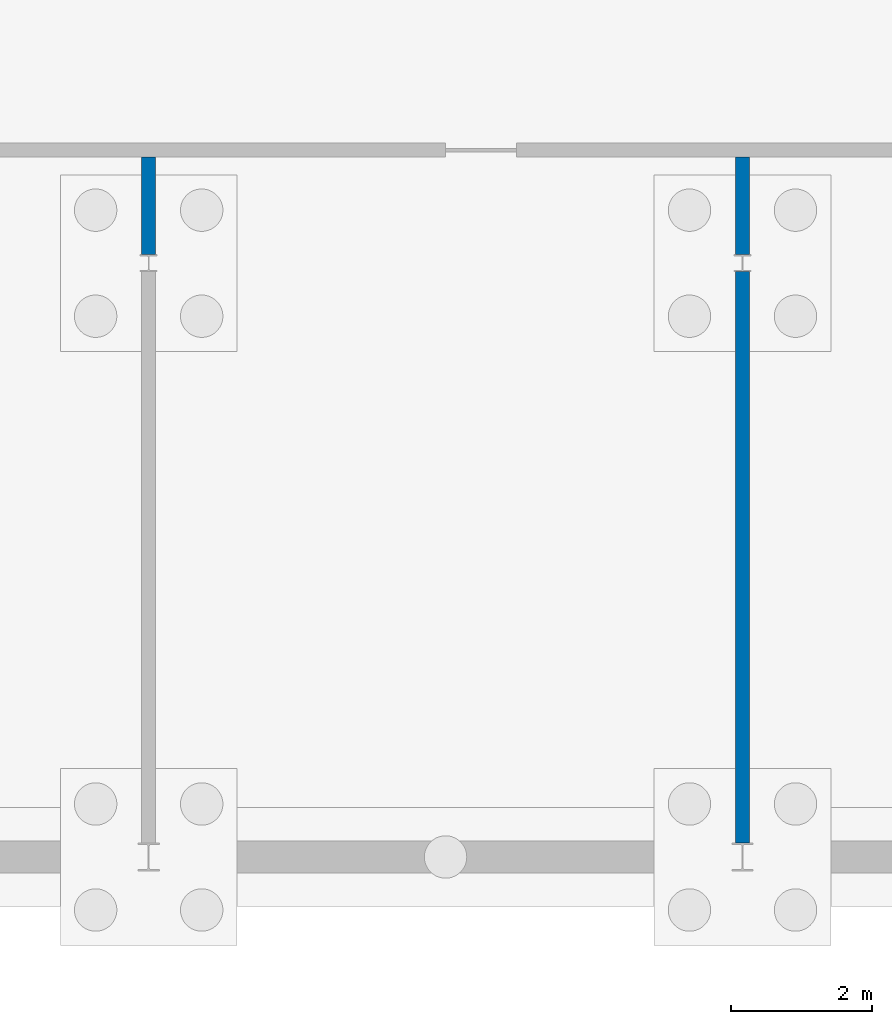
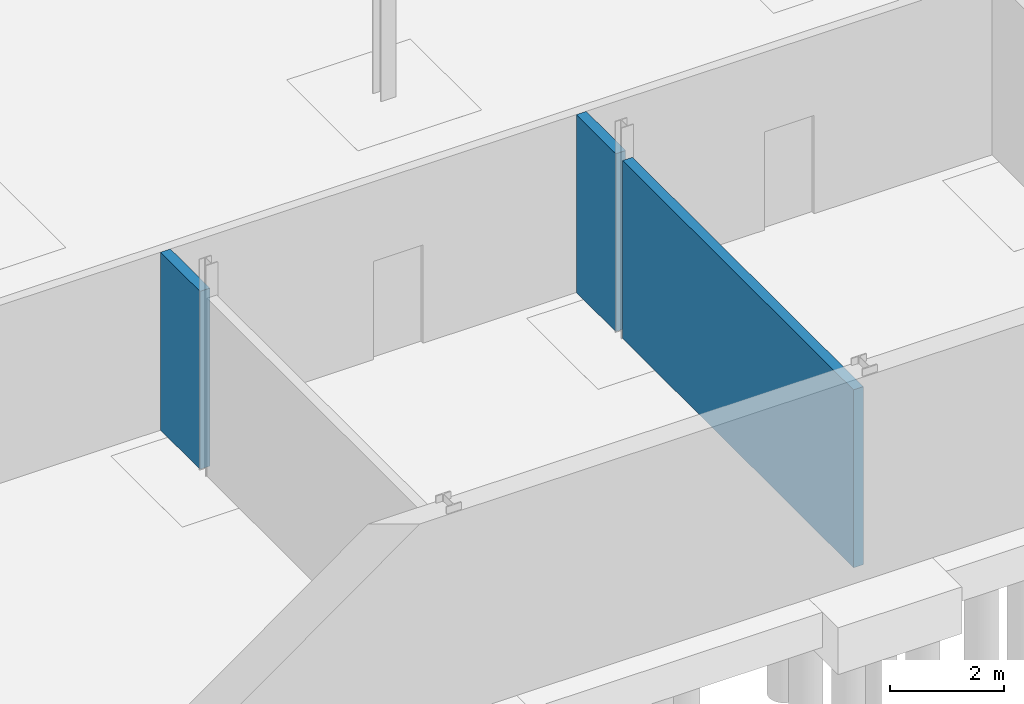
# One storey, part 22 of 35: 3 walls.
"""IFC4 building model written with IfcOpenShell, lengths in metres."""

from ifc_helpers import new_model, si_unit, direction, frame, frame_2d, origin, place, context, subcontext, project, spatial, rectangle, extrude, material, layer, layer_set, type_object, element, save


model = new_model("IFC4")

# Units and contexts
model_context = context("Model", 3, precision=1e-05, world=origin(), true_north=direction((0.0, 1.0)))
body_context = subcontext(model_context, "Body", "Model", "MODEL_VIEW")
ifc_project = project(units=[si_unit("LENGTHUNIT", "METRE"), si_unit("AREAUNIT", "SQUARE_METRE"), si_unit("VOLUMEUNIT", "CUBIC_METRE"), si_unit("PLANEANGLEUNIT", "RADIAN"), si_unit("MASSUNIT", "GRAM", prefix="KILO")], contexts=[model_context])

# Site, building, storey
site_placement = place(None, origin())
site = spatial("IfcSite", under=ifc_project, at=site_placement, CompositionType="ELEMENT")
building_placement = place(site_placement, origin())
building = spatial("IfcBuilding", under=site, at=building_placement, Name="Ardhachandra Cancer Care Centre", CompositionType="ELEMENT")
storey_placement = place(building_placement, frame((0.0, 0.0, -4.5)))
storey = spatial("IfcBuildingStorey", under=building, at=storey_placement, Name="B1", CompositionType="ELEMENT", Elevation=-4.5)

# Walls
ifc_material = material(Name="Brick masonry", Category="masonry")
ifc_layer = layer(ifc_material, 0.199951171875)
ifc_layer_set = layer_set([ifc_layer], Name="Brick masonry")
wall_type = type_object("IfcWallType", Name="PLANT ROOM WALL 200", PredefinedType="SOLIDWALL", material=ifc_layer_set)
wall_1_placement = place(storey_placement, frame((61.199951171875, 63.1201171875, 0.0), z_axis=(0.0, 0.0, 1.0), x_axis=(0.0, 1.0, 0.0)))
element("IfcWall", 1, at=wall_1_placement, inside=storey, type_object=wall_type, Name="R/wall/B1/v0061200_0063120", PredefinedType="SOLIDWALL", context=body_context, shape_type="SweptSolid", body=[
    extrude(rectangle(XDim=1.3798828125, YDim=0.199951171875, at=frame_2d((0.68994140625, 0.0))), origin(), (0.0, 0.0, 1.0), 3.800048828125),
])
wall_2_placement = place(storey_placement, frame((69.60009765625, 54.800048828125, 0.0), z_axis=(0.0, 0.0, 1.0), x_axis=(0.0, 1.0, 0.0)))
element("IfcWall", 2, at=wall_2_placement, inside=storey, type_object=wall_type, Name="R/wall/B1/v0069600_0054800", PredefinedType="SOLIDWALL", context=body_context, shape_type="SweptSolid", body=[
    extrude(rectangle(XDim=8.079833984375, YDim=0.199951171875, at=frame_2d((4.0400390625, 0.0))), origin(), (0.0, 0.0, 1.0), 3.800048828125),
])
wall_3_placement = place(storey_placement, frame((69.60009765625, 63.1201171875, 0.0), z_axis=(0.0, 0.0, 1.0), x_axis=(0.0, 1.0, 0.0)))
element("IfcWall", 3, at=wall_3_placement, inside=storey, type_object=wall_type, Name="R/wall/B1/v0069600_0063120", PredefinedType="SOLIDWALL", context=body_context, shape_type="SweptSolid", body=[
    extrude(rectangle(XDim=1.3798828125, YDim=0.199951171875, at=frame_2d((0.68994140625, 0.0))), origin(), (0.0, 0.0, 1.0), 3.800048828125),
])

save(model, "model.ifc")
